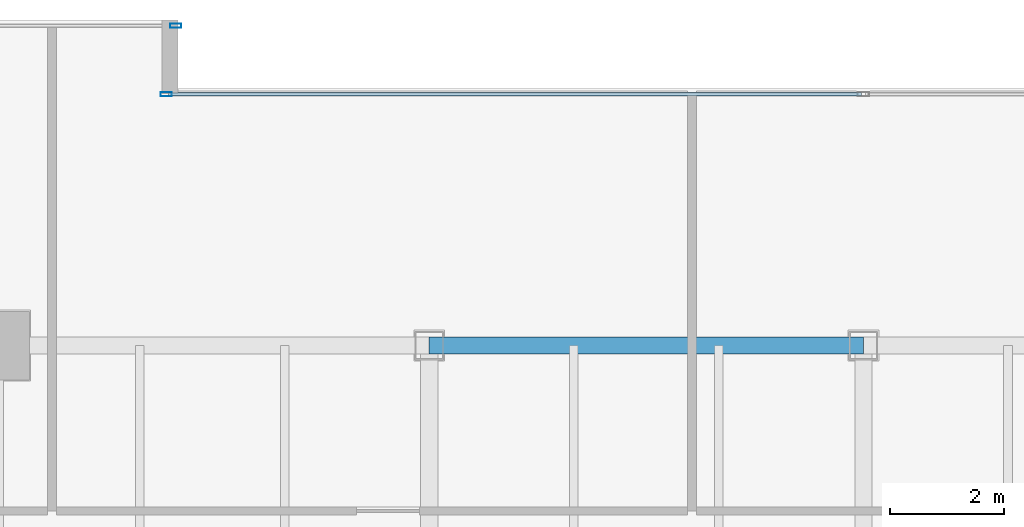
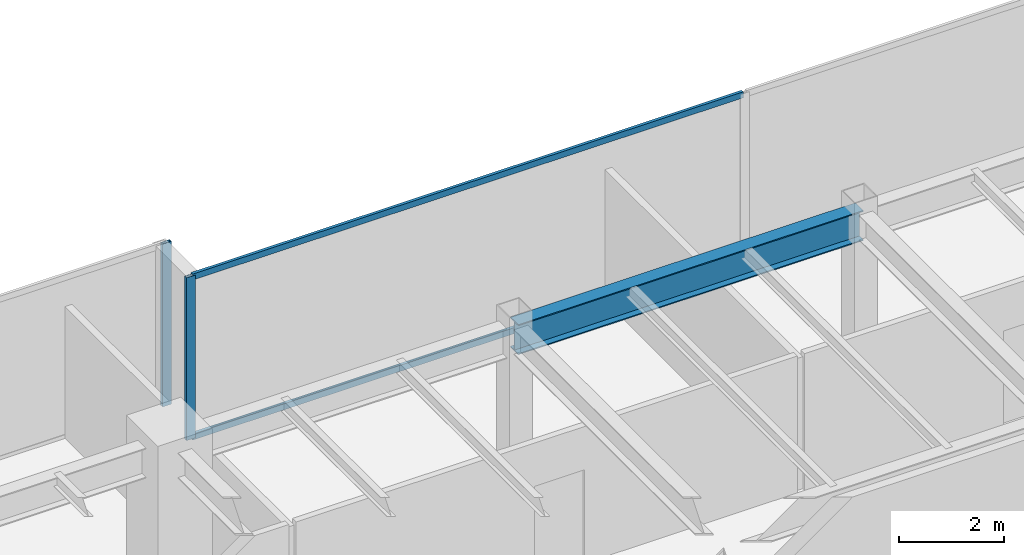
# One storey, part 16 of 33: 4 members, 1 beam, 2 elements without a shape of their own.
"""IFC4 building model written with IfcOpenShell, lengths in metres."""

from ifc_helpers import new_model, si_unit, direction, frame, origin, origin_2d, place, context, subcontext, project, spatial, hollow_rectangle, i_section, extrude, source, transform, mapped, material, layer, layer_set, material_profile, profile_set, type_object, type_shapes, element, aggregate, save


model = new_model("IFC4")

# Units and contexts
model_context = context("Model", 3, precision=1e-05, world=origin(), true_north=direction((0.0, 1.0)))
body_context = subcontext(model_context, "Body", "Model", "MODEL_VIEW")
ifc_project = project(units=[si_unit("LENGTHUNIT", "METRE"), si_unit("AREAUNIT", "SQUARE_METRE"), si_unit("VOLUMEUNIT", "CUBIC_METRE"), si_unit("PLANEANGLEUNIT", "RADIAN"), si_unit("MASSUNIT", "GRAM", prefix="KILO")], contexts=[model_context])

# Site, building, storey
site_placement = place(None, origin())
site = spatial("IfcSite", under=ifc_project, at=site_placement, CompositionType="ELEMENT")
building_placement = place(site_placement, origin())
building = spatial("IfcBuilding", under=site, at=building_placement, Name="Haelvirn Gate Laboratories", CompositionType="ELEMENT")
storey_placement = place(building_placement, frame((0.0, 0.0, 166.60009765625)))
storey = spatial("IfcBuildingStorey", under=building, at=storey_placement, Name="L40", CompositionType="ELEMENT", Elevation=166.60009765625)

# Beam
ifc_material_1 = material(Name="Steel SM355", Category="steel")
ifc_material_profile_1 = material_profile(ifc_material_1, i_section(OverallWidth=0.300048828125, OverallDepth=0.699951171875, WebThickness=0.012939453125, FlangeThickness=0.02392578125, at=origin_2d()), Name="H-700x300x13x24")
ifc_profile_set_1 = profile_set([ifc_material_profile_1], Name="Steel SM355")
beam_type = type_object("IfcBeamType", Name="BM-G-700", PredefinedType="BEAM", material=ifc_profile_set_1)
shared_shape_1 = source(origin(), body_context, "Body", "SweptSolid", [
    extrude(i_section(OverallWidth=0.300048828125, OverallDepth=0.699951171875, WebThickness=0.012939453125, FlangeThickness=0.02392578125, at=origin_2d()), origin(), (0.0, 0.0, 1.0), 7.599853515625),
])
type_shapes(beam_type, [shared_shape_1])
beam_placement = place(storey_placement, frame((29.800048828125, 41.60009765625, 3.43994140625), z_axis=(1.0, 0.0, 0.0), x_axis=(0.0, 1.0, 0.0)))
element("IfcBeam", 1, at=beam_placement, inside=storey, type_object=beam_type, Name="L40 Primary Girder Y41.6 (29.8-37.4)", PredefinedType="BEAM", context=body_context, shape_type="MappedRepresentation", body=[
    mapped(shared_shape_1, transform((0.0, 0.0, 0.0), scale=1.0)),
])

# Curtain wall, members
ifc_material_2 = material(Name="Anodised bronze unitised aluminium & triple low-E glass", Category="aluminium")
ifc_layer = layer(ifc_material_2, 0.179931640625, Name="CW-SYS-3")
ifc_layer_set = layer_set([ifc_layer], Name="Anodised bronze unitised aluminium & triple low-E glass")
curtain_wall_type = type_object("IfcCurtainWallType", Name="CW-SYS-3", PredefinedType="NOTDEFINED", material=ifc_layer_set)
curtain_wall_1_placement = place(storey_placement, origin())
curtain_wall_1 = element("IfcCurtainWall", 2, at=curtain_wall_1_placement, inside=storey, type_object=curtain_wall_type, Name="L40 Unitised Curtain Wall CW-L40-P0-E12-1", PredefinedType="NOTDEFINED")
ifc_material_3 = material(Name="Extruded aluminium 6063-T6 (anodised bronze)", Category="aluminium")
ifc_material_profile_2 = material_profile(ifc_material_3, hollow_rectangle(XDim=0.06494140625, YDim=0.139892578125, WallThickness=0.00390625, at=origin_2d()), Name="CWT-140x65x4")
ifc_profile_set_2 = profile_set([ifc_material_profile_2], Name="Extruded aluminium 6063-T6 (anodised bronze)")
member_type_1 = type_object("IfcMemberType", Name="CWT-T140", PredefinedType="USERDEFINED", material=ifc_profile_set_2)
shared_shape_2 = source(origin(), body_context, "Body", "SweptSolid", [
    extrude(hollow_rectangle(XDim=0.06494140625, YDim=0.139892578125, WallThickness=0.00390625, at=origin_2d()), origin(), (0.0, 0.0, 1.0), 12.12744140625),
])
type_shapes(member_type_1, [shared_shape_2])
member_1_placement = place(storey_placement, frame((25.235107421875, 46.0, 0.032470703125), z_axis=(1.0, 0.0, 0.0), x_axis=(0.0, 1.0, 0.0)))
member_1 = element("IfcMember", 3, at=member_1_placement, type_object=member_type_1, Name="CW3 transom 1.1", ObjectType="TRANSOM", PredefinedType="USERDEFINED", context=body_context, shape_type="MappedRepresentation", body=[
    mapped(shared_shape_2, transform((0.0, 0.0, 0.0), scale=1.0)),
])
member_2_placement = place(storey_placement, frame((25.235107421875, 46.0, 3.75732421875), z_axis=(1.0, 0.0, 0.0), x_axis=(0.0, 1.0, 0.0)))
member_2 = element("IfcMember", 4, at=member_2_placement, type_object=member_type_1, Name="CW3 transom 1.2", ObjectType="TRANSOM", PredefinedType="USERDEFINED", context=body_context, shape_type="MappedRepresentation", body=[
    mapped(shared_shape_2, transform((0.0, 0.0, 0.0), scale=1.0)),
])
ifc_material_profile_3 = material_profile(ifc_material_3, hollow_rectangle(XDim=0.074951171875, YDim=0.199951171875, WallThickness=0.0048828125, at=origin_2d()), Name="CWM-200x75x5")
ifc_profile_set_3 = profile_set([ifc_material_profile_3], Name="Extruded aluminium 6063-T6 (anodised bronze)")
member_type_2 = type_object("IfcMemberType", Name="CWM-T200", PredefinedType="MULLION", material=ifc_profile_set_3)
shared_shape_3 = source(origin(), body_context, "Body", "SweptSolid", [
    extrude(hollow_rectangle(XDim=0.074951171875, YDim=0.199951171875, WallThickness=0.0048828125, at=origin_2d()), origin(), (0.0, 0.0, 1.0), 3.789794921875),
])
type_shapes(member_type_2, [shared_shape_3])
member_3_placement = place(storey_placement, frame((25.197509765625, 46.0, 0.0), z_axis=(0.0, 0.0, 1.0), x_axis=(0.0, 1.0, 0.0)))
member_3 = element("IfcMember", 5, at=member_3_placement, type_object=member_type_2, Name="CW3 mullion 1", PredefinedType="MULLION", context=body_context, shape_type="MappedRepresentation", body=[
    mapped(shared_shape_3, transform((0.0, 0.0, 0.0), scale=1.0)),
])
aggregate(curtain_wall_1, [member_3, member_1, member_2])

# Curtain wall, member
curtain_wall_2_placement = place(storey_placement, origin())
curtain_wall_2 = element("IfcCurtainWall", 6, at=curtain_wall_2_placement, inside=storey, type_object=curtain_wall_type, Name="L40 Unitised Curtain Wall CW-L40-P0-E14-1", PredefinedType="NOTDEFINED")
member_4_placement = place(storey_placement, frame((25.362548828125, 47.199951171875, 0.0), z_axis=(0.0, 0.0, 1.0), x_axis=(0.0, 1.0, 0.0)))
member_4 = element("IfcMember", 7, at=member_4_placement, type_object=member_type_2, Name="CW3 mullion 3", PredefinedType="MULLION", context=body_context, shape_type="MappedRepresentation", body=[
    mapped(shared_shape_3, transform((0.0, 0.0, 0.0), scale=1.0)),
])
aggregate(curtain_wall_2, [member_4])

save(model, "model.ifc")
